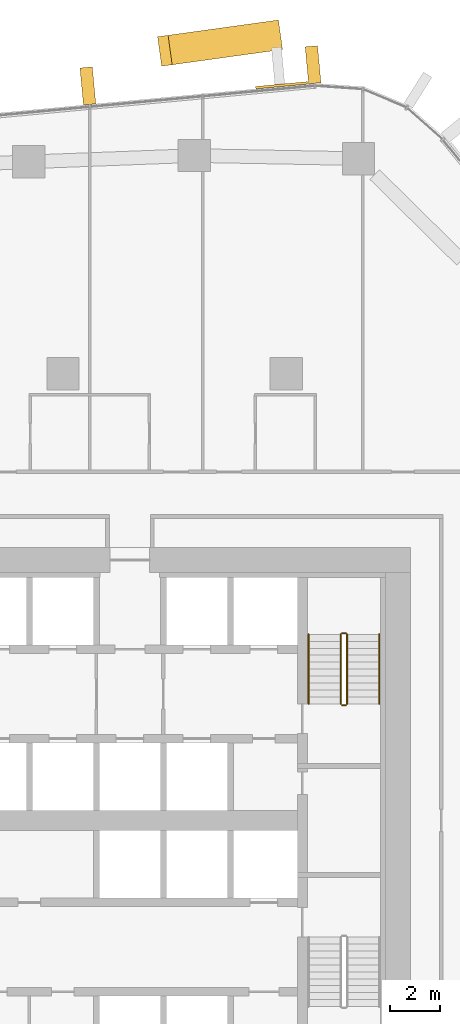
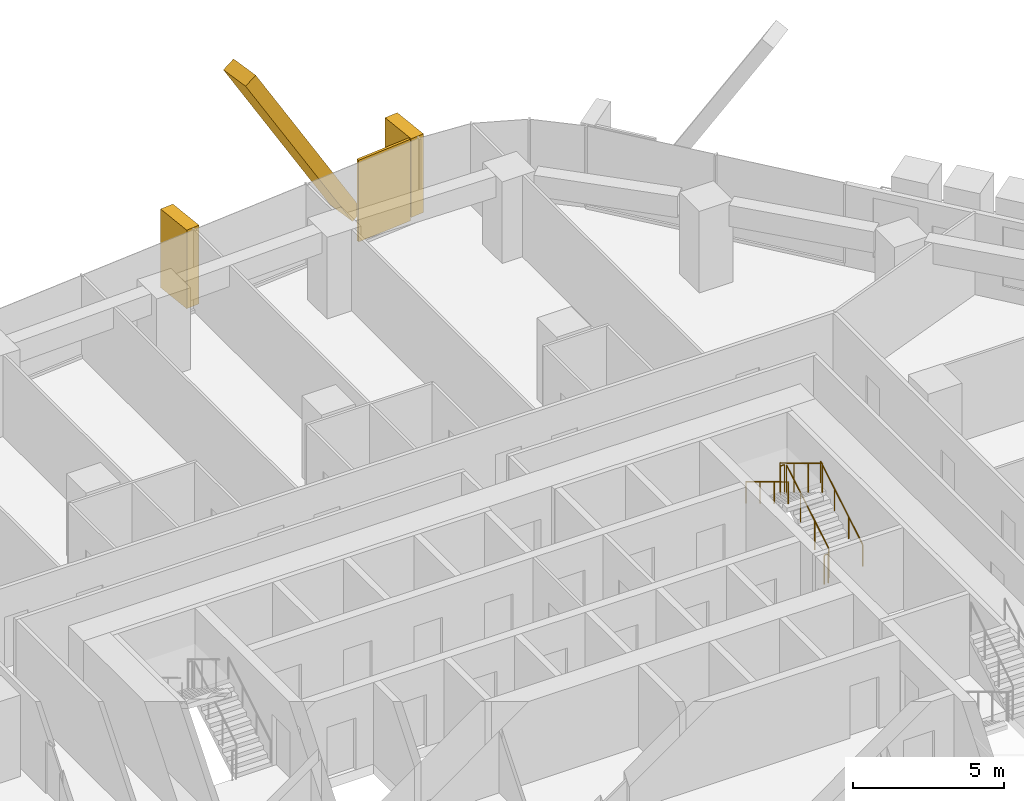
# One storey, part 22 of 23: 6 railings, 4 coverings, 1 element without a shape of its own.
"""IFC4 building model written with IfcOpenShell, lengths in metres."""

from ifc_helpers import new_model, si_unit, direction, frame, origin, origin_2d, place, context, subcontext, project, spatial, rectangle, circle, extrude, material, layer, layer_set, material_profile, profile_set, type_object, element, aggregate, save


model = new_model("IFC4")

# Units and contexts
model_context = context("Model", 3, precision=1e-05, world=origin(), true_north=direction((0.0, 1.0)))
body_context = subcontext(model_context, "Body", "Model", "MODEL_VIEW")
ifc_project = project(units=[si_unit("LENGTHUNIT", "METRE"), si_unit("AREAUNIT", "SQUARE_METRE"), si_unit("VOLUMEUNIT", "CUBIC_METRE"), si_unit("PLANEANGLEUNIT", "RADIAN"), si_unit("MASSUNIT", "GRAM", prefix="KILO")], contexts=[model_context])

# Site, building, storey
site_placement = place(None, origin())
site = spatial("IfcSite", under=ifc_project, at=site_placement, CompositionType="ELEMENT")
building_placement = place(site_placement, origin())
building = spatial("IfcBuilding", under=site, at=building_placement, Name="Dongbaek Canopy Tower", CompositionType="ELEMENT")
storey_placement = place(building_placement, frame((0.0, 0.0, 121.10009765625)))
storey = spatial("IfcBuildingStorey", under=building, at=storey_placement, Name="L26", CompositionType="ELEMENT", Elevation=121.10009765625)

# Curtain wall, coverings
ifc_material_1 = material(Name="Aluminium 6063-T6 pale anodised", Category="aluminium")
ifc_layer_1 = layer(ifc_material_1, 0.199951171875)
ifc_layer_set_1 = layer_set([ifc_layer_1], Name="CW-1 unitised tower curtain wall")
curtain_wall_type = type_object("IfcCurtainWallType", Name="CW-1 unitised tower curtain wall", PredefinedType="NOTDEFINED", material=ifc_layer_set_1)
curtain_wall_placement = place(storey_placement, origin())
curtain_wall = element("IfcCurtainWall", 1, at=curtain_wall_placement, inside=storey, type_object=curtain_wall_type, Name="CW-1 curtain wall F1.1", PredefinedType="NOTDEFINED")
ifc_material_2 = material(Name="Aluminium 6063-T6 pale metal fin", Category="aluminium")
ifc_material_profile_1 = material_profile(ifc_material_2, rectangle(XDim=1.199951171875, YDim=0.5, at=origin_2d()), Name="Crease fin CF1 500 x 1200 pale metal")
ifc_profile_set_1 = profile_set([ifc_material_profile_1], Name="Aluminium 6063-T6 pale metal fin")
covering_type_1 = type_object("IfcCoveringType", Name="Crease fin CF1 500 x 1200 pale metal", PredefinedType="CLADDING", material=ifc_profile_set_1)
covering_1_placement = place(storey_placement, frame((8.558349609375, 31.63818359375, -0.2001953125), z_axis=(-0.513904730477, -0.071158643049, 0.854890855907), x_axis=(0.137157982206, -0.990549185007, 0.0)))
covering_1 = element("IfcCovering", 2, at=covering_1_placement, type_object=covering_type_1, Name="Crease fin L26 L28 F1", PredefinedType="CLADDING", context=body_context, shape_type="SweptSolid", body=[
    extrude(rectangle(XDim=1.199951171875, YDim=0.5, at=origin_2d()), origin(), (0.0, 0.0, 1.0), 8.65625),
])
ifc_material_3 = material(Name="Perforated aluminium 6063-T6 pale metal screen", Category="aluminium")
ifc_layer_2 = layer(ifc_material_3, 0.10009765625)
ifc_layer_set_2 = layer_set([ifc_layer_2], Name="Facet screen FS1 100 pale metal")
covering_type_2 = type_object("IfcCoveringType", Name="Facet screen FS1 100 pale metal", PredefinedType="CLADDING", material=ifc_layer_set_2)
covering_2_placement = place(storey_placement, frame((8.81591796875, 29.630615234375, 0.0), z_axis=(0.0, 0.0, 1.0), x_axis=(-0.995628889191, -0.093397617783, 0.0)))
covering_2 = element("IfcCovering", 3, at=covering_2_placement, type_object=covering_type_2, Name="Facet screen L26 F1", PredefinedType="CLADDING", context=body_context, shape_type="SweptSolid", body=[
    extrude(rectangle(XDim=2.097412109375, YDim=0.10009765625, at=origin_2d()), origin(), (0.0, 0.0, 1.0), 3.300048828125),
])
ifc_material_4 = material(Name="Aluminium 6063-T6 pale metal fin", Category="aluminium")
ifc_material_profile_2 = material_profile(ifc_material_4, rectangle(XDim=1.5, YDim=0.5, at=origin_2d()), Name="Fin FN1 500 x 1500 pale metal")
ifc_profile_set_2 = profile_set([ifc_material_profile_2], Name="Aluminium 6063-T6 pale metal fin")
covering_type_3 = type_object("IfcCoveringType", Name="Fin FN1 500 x 1500 pale metal", PredefinedType="CLADDING", material=ifc_profile_set_2)
covering_3_placement = place(storey_placement, frame((10.0830078125, 30.45654296875, 0.119873046875), z_axis=(0.0, 0.0, 1.0), x_axis=(-0.093397804951, 0.995628871634, 0.0)))
covering_3 = element("IfcCovering", 4, at=covering_3_placement, type_object=covering_type_3, Name="Fin F1.1.1", PredefinedType="CLADDING", context=body_context, shape_type="SweptSolid", body=[
    extrude(rectangle(XDim=1.5, YDim=0.5, at=origin_2d()), origin(), (0.0, 0.0, 1.0), 3.179931640625),
])
covering_4_placement = place(storey_placement, frame((1.007568359375, 29.60498046875, 0.119873046875), z_axis=(0.0, 0.0, 1.0), x_axis=(-0.093397804951, 0.995628871634, 0.0)))
covering_4 = element("IfcCovering", 5, at=covering_4_placement, type_object=covering_type_3, Name="Fin F1.1.3", PredefinedType="CLADDING", context=body_context, shape_type="SweptSolid", body=[
    extrude(rectangle(XDim=1.5, YDim=0.5, at=origin_2d()), origin(), (0.0, 0.0, 1.0), 3.179931640625),
])
aggregate(curtain_wall, [covering_3, covering_4, covering_1, covering_2])

# Railings
ifc_material_5 = material(Name="Stainless steel tube and balusters", Category="steel")
railing_type_1 = type_object("IfcRailingType", Name="Stair guard 1200", PredefinedType="GUARDRAIL", material=ifc_material_5)
railing_1_placement = place(storey_placement, frame((11.449951171875, 4.699951171875, 0.16796875)))
element("IfcRailing", 6, at=railing_1_placement, inside=storey, type_object=railing_type_1, Name="L26 ST-A stair guard 1", PredefinedType="GUARDRAIL", context=body_context, shape_type="SweptSolid", body=[
    extrude(circle(Radius=0.02392578125, at=origin_2d()), frame((0.0, 0.0, 1.17578125), z_axis=(0.0, 0.857242210791, 0.514913383045), x_axis=(-1.0, 0.0, 0.0)), (0.0, 0.0, 1.0), 3.266357421875),
    extrude(circle(Radius=0.02099609375, at=origin_2d()), origin(), (0.0, 0.0, 1.0), 1.15185546875),
    extrude(circle(Radius=0.02099609375, at=origin_2d()), frame((0.0, 0.933349609375, 0.560546875)), (0.0, 0.0, 1.0), 1.15185546875),
    extrude(circle(Radius=0.02099609375, at=origin_2d()), frame((0.0, 1.86669921875, 1.121337890625)), (0.0, 0.0, 1.0), 1.15185546875),
    extrude(circle(Radius=0.02099609375, at=origin_2d()), frame((0.0, 2.800048828125, 1.681884765625)), (0.0, 0.0, 1.0), 1.15185546875),
])
railing_2_placement = place(storey_placement, frame((11.39990234375, 7.550048828125, 1.849853515625)))
element("IfcRailing", 7, at=railing_2_placement, inside=storey, type_object=railing_type_1, Name="L26 ST-A stair guard 2", PredefinedType="GUARDRAIL", context=body_context, shape_type="SweptSolid", body=[
    extrude(circle(Radius=0.02392578125, at=origin_2d()), frame((0.0, 0.0, 1.17578125), z_axis=(-1.0, 0.0, 0.0), x_axis=(0.0, -1.0, 0.0)), (0.0, 0.0, 1.0), 0.14990234375),
    extrude(circle(Radius=0.02099609375, at=origin_2d()), origin(), (0.0, 0.0, 1.0), 1.15185546875),
    extrude(circle(Radius=0.02099609375, at=origin_2d()), frame((-0.14990234375, 0.0, 0.0)), (0.0, 0.0, 1.0), 1.15185546875),
])
railing_3_placement = place(storey_placement, frame((11.199951171875, 7.5, 2.01806640625)))
element("IfcRailing", 8, at=railing_3_placement, inside=storey, type_object=railing_type_1, Name="L26 ST-A stair guard 3", PredefinedType="GUARDRAIL", context=body_context, shape_type="SweptSolid", body=[
    extrude(circle(Radius=0.02392578125, at=origin_2d()), frame((0.0, 0.0, 1.17578125), z_axis=(0.0, -0.857242210791, 0.514913383045), x_axis=(1.0, 0.0, 0.0)), (0.0, 0.0, 1.0), 3.266357421875),
    extrude(circle(Radius=0.02099609375, at=origin_2d()), origin(), (0.0, 0.0, 1.0), 1.15185546875),
    extrude(circle(Radius=0.02099609375, at=origin_2d()), frame((0.0, -0.933349609375, 0.560546875)), (0.0, 0.0, 1.0), 1.15185546875),
    extrude(circle(Radius=0.02099609375, at=origin_2d()), frame((0.0, -1.86669921875, 1.121337890625)), (0.0, 0.0, 1.0), 1.15185546875),
    extrude(circle(Radius=0.02099609375, at=origin_2d()), frame((0.0, -2.800048828125, 1.681884765625)), (0.0, 0.0, 1.0), 1.15185546875),
])
railing_4_placement = place(storey_placement, frame((11.39990234375, 4.64990234375, 0.0)))
element("IfcRailing", 9, at=railing_4_placement, inside=storey, type_object=railing_type_1, Name="L26 ST-A stair guard 4", PredefinedType="GUARDRAIL", context=body_context, shape_type="SweptSolid", body=[
    extrude(circle(Radius=0.02392578125, at=origin_2d()), frame((0.0, 0.0, 1.17578125), z_axis=(-1.0, 0.0, 0.0), x_axis=(0.0, -1.0, 0.0)), (0.0, 0.0, 1.0), 0.14990234375),
    extrude(circle(Radius=0.02099609375, at=origin_2d()), origin(), (0.0, 0.0, 1.0), 1.15185546875),
    extrude(circle(Radius=0.02099609375, at=origin_2d()), frame((-0.14990234375, 0.0, 0.0)), (0.0, 0.0, 1.0), 1.15185546875),
])
ifc_material_6 = material(Name="Stainless steel tube", Category="steel")
railing_type_2 = type_object("IfcRailingType", Name="Stair handrail 900", PredefinedType="HANDRAIL", material=ifc_material_6)
railing_5_placement = place(storey_placement, frame((12.75, 4.699951171875, 0.16796875)))
element("IfcRailing", 10, at=railing_5_placement, inside=storey, type_object=railing_type_2, Name="L26 ST-A stair handrail 1", PredefinedType="HANDRAIL", context=body_context, shape_type="SweptSolid", body=[
    extrude(circle(Radius=0.02392578125, at=origin_2d()), frame((0.0, 0.0, 0.8759765625), z_axis=(0.0, 0.857242210791, 0.514913383045), x_axis=(-1.0, 0.0, 0.0)), (0.0, 0.0, 1.0), 3.266357421875),
    extrude(circle(Radius=0.02099609375, at=origin_2d()), origin(), (0.0, 0.0, 1.0), 0.851806640625),
    extrude(circle(Radius=0.02099609375, at=origin_2d()), frame((0.0, 0.933349609375, 0.560546875)), (0.0, 0.0, 1.0), 0.851806640625),
    extrude(circle(Radius=0.02099609375, at=origin_2d()), frame((0.0, 1.86669921875, 1.121337890625)), (0.0, 0.0, 1.0), 0.851806640625),
    extrude(circle(Radius=0.02099609375, at=origin_2d()), frame((0.0, 2.800048828125, 1.681884765625)), (0.0, 0.0, 1.0), 0.851806640625),
])
railing_6_placement = place(storey_placement, frame((9.89990234375, 7.5, 2.01806640625)))
element("IfcRailing", 11, at=railing_6_placement, inside=storey, type_object=railing_type_2, Name="L26 ST-A stair handrail 2", PredefinedType="HANDRAIL", context=body_context, shape_type="SweptSolid", body=[
    extrude(circle(Radius=0.02392578125, at=origin_2d()), frame((0.0, 0.0, 0.8759765625), z_axis=(0.0, -0.857242210791, 0.514913383045), x_axis=(1.0, 0.0, 0.0)), (0.0, 0.0, 1.0), 3.266357421875),
    extrude(circle(Radius=0.02099609375, at=origin_2d()), origin(), (0.0, 0.0, 1.0), 0.851806640625),
    extrude(circle(Radius=0.02099609375, at=origin_2d()), frame((0.0, -0.933349609375, 0.560546875)), (0.0, 0.0, 1.0), 0.851806640625),
    extrude(circle(Radius=0.02099609375, at=origin_2d()), frame((0.0, -1.86669921875, 1.121337890625)), (0.0, 0.0, 1.0), 0.851806640625),
    extrude(circle(Radius=0.02099609375, at=origin_2d()), frame((0.0, -2.800048828125, 1.681884765625)), (0.0, 0.0, 1.0), 0.851806640625),
])

save(model, "model.ifc")
